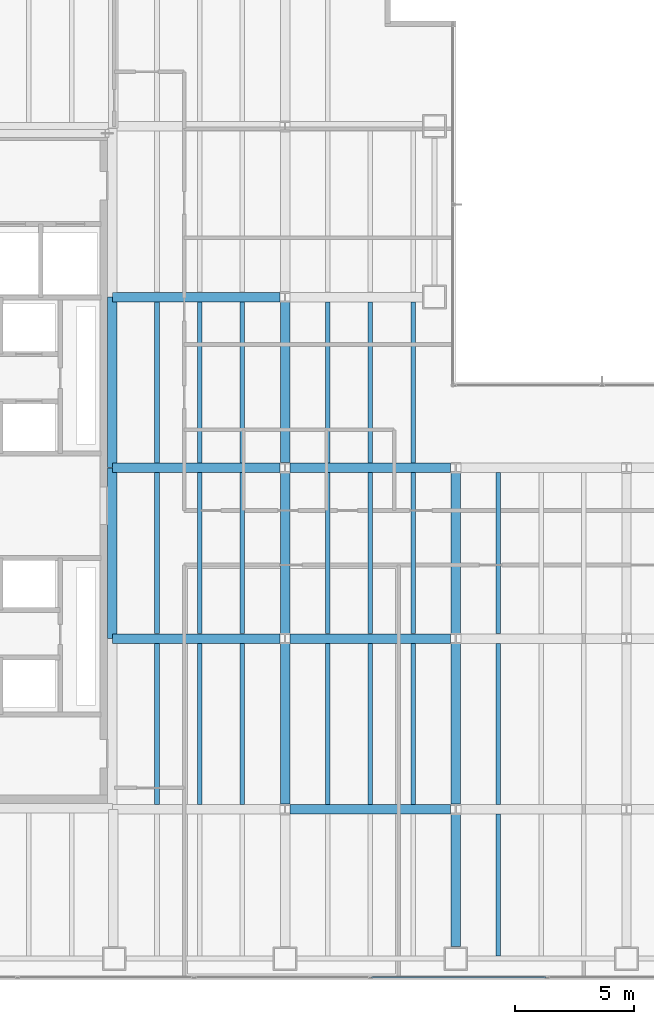
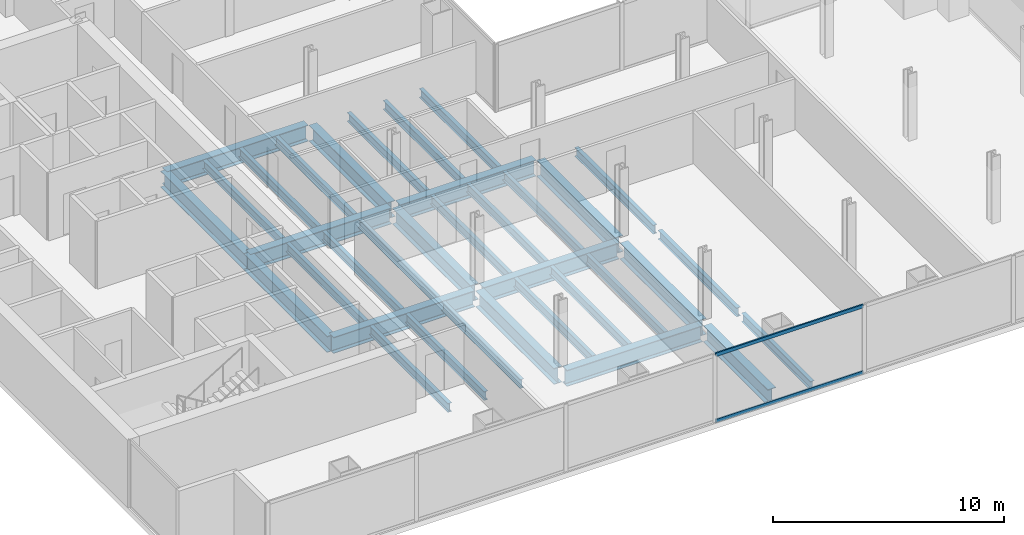
# One storey, part 5 of 24: 35 beams, 2 members, 1 element without a shape of its own.
"""IFC4 building model written with IfcOpenShell, lengths in metres."""

from ifc_helpers import new_model, si_unit, direction, frame, origin, origin_2d, place, context, subcontext, project, spatial, hollow_rectangle, i_section, extrude, material, material_profile, profile_set, type_object, element, aggregate, save


model = new_model("IFC4")

# Units and contexts
model_context = context("Model", 3, precision=1e-05, world=origin(), true_north=direction((0.0, 1.0)))
body_context = subcontext(model_context, "Body", "Model", "MODEL_VIEW")
ifc_project = project(units=[si_unit("LENGTHUNIT", "METRE"), si_unit("AREAUNIT", "SQUARE_METRE"), si_unit("VOLUMEUNIT", "CUBIC_METRE"), si_unit("PLANEANGLEUNIT", "RADIAN"), si_unit("MASSUNIT", "GRAM", prefix="KILO")], contexts=[model_context])

# Site, building, storey
site_placement = place(None, origin())
site = spatial("IfcSite", under=ifc_project, at=site_placement, CompositionType="ELEMENT")
building_placement = place(site_placement, origin())
building = spatial("IfcBuilding", under=site, at=building_placement, Name="Cobrela Telecom Tower", CompositionType="ELEMENT")
storey_placement = place(building_placement, frame((0.0, 0.0, 69.64990234375)))
storey = spatial("IfcBuildingStorey", under=building, at=storey_placement, Name="L17", CompositionType="ELEMENT", Elevation=69.64990234375)

# Beams
ifc_material_1 = material(Name="Steel ASTM A992 Grade 50", Category="steel")
ifc_material_profile_1 = material_profile(ifc_material_1, i_section(OverallWidth=0.39892578125, OverallDepth=0.85595703125, WebThickness=0.018310546875, FlangeThickness=0.029296875, FilletRadius=0.02001953125, at=origin_2d()), Name="W33X201")
ifc_profile_set_1 = profile_set([ifc_material_profile_1], Name="Steel ASTM A992 Grade 50")
beam_type_1 = type_object("IfcBeamType", Name="BM-GIRD-03", PredefinedType="USERDEFINED", material=ifc_profile_set_1)
beam_1_placement = place(storey_placement, frame((21.81591796875, 7.199951171875, -0.7080078125), z_axis=(1.0, 0.0, 0.0), x_axis=(0.0, 1.0, 0.0)))
element("IfcBeam", 1, at=beam_1_placement, inside=storey, type_object=beam_type_1, Name="L17 Primary Girder X09", ObjectType="GIRDER", PredefinedType="USERDEFINED", context=body_context, shape_type="SweptSolid", body=[
    extrude(i_section(OverallWidth=0.39892578125, OverallDepth=0.85595703125, WebThickness=0.018310546875, FlangeThickness=0.029296875, FilletRadius=0.02001953125, at=origin_2d()), origin(), (0.0, 0.0, 1.0), 6.76806640625),
])
beam_2_placement = place(storey_placement, frame((14.324951171875, 14.39990234375, -0.7080078125), z_axis=(1.0, 0.0, 0.0), x_axis=(0.0, 1.0, 0.0)))
element("IfcBeam", 2, at=beam_2_placement, inside=storey, type_object=beam_type_1, Name="L17 Primary Girder X13", ObjectType="GIRDER", PredefinedType="USERDEFINED", context=body_context, shape_type="SweptSolid", body=[
    extrude(i_section(OverallWidth=0.39892578125, OverallDepth=0.85595703125, WebThickness=0.018310546875, FlangeThickness=0.029296875, FilletRadius=0.02001953125, at=origin_2d()), origin(), (0.0, 0.0, 1.0), 7.05908203125),
])
beam_3_placement = place(storey_placement, frame((21.81591796875, 14.39990234375, -0.7080078125), z_axis=(1.0, 0.0, 0.0), x_axis=(0.0, 1.0, 0.0)))
element("IfcBeam", 3, at=beam_3_placement, inside=storey, type_object=beam_type_1, Name="L17 Primary Girder X14", ObjectType="GIRDER", PredefinedType="USERDEFINED", context=body_context, shape_type="SweptSolid", body=[
    extrude(i_section(OverallWidth=0.39892578125, OverallDepth=0.85595703125, WebThickness=0.018310546875, FlangeThickness=0.029296875, FilletRadius=0.02001953125, at=origin_2d()), origin(), (0.0, 0.0, 1.0), 6.76806640625),
])
beam_4_placement = place(storey_placement, frame((14.324951171875, 21.60009765625, -0.7080078125), z_axis=(1.0, 0.0, 0.0), x_axis=(0.0, 1.0, 0.0)))
element("IfcBeam", 4, at=beam_4_placement, inside=storey, type_object=beam_type_1, Name="L17 Primary Girder X18", ObjectType="GIRDER", PredefinedType="USERDEFINED", context=body_context, shape_type="SweptSolid", body=[
    extrude(i_section(OverallWidth=0.39892578125, OverallDepth=0.85595703125, WebThickness=0.018310546875, FlangeThickness=0.029296875, FilletRadius=0.02001953125, at=origin_2d()), origin(), (0.0, 0.0, 1.0), 7.05908203125),
])
beam_5_placement = place(storey_placement, frame((21.81591796875, 21.60009765625, -0.7080078125), z_axis=(1.0, 0.0, 0.0), x_axis=(0.0, 1.0, 0.0)))
element("IfcBeam", 5, at=beam_5_placement, inside=storey, type_object=beam_type_1, Name="L17 Primary Girder X19", ObjectType="GIRDER", PredefinedType="USERDEFINED", context=body_context, shape_type="SweptSolid", body=[
    extrude(i_section(OverallWidth=0.39892578125, OverallDepth=0.85595703125, WebThickness=0.018310546875, FlangeThickness=0.029296875, FilletRadius=0.02001953125, at=origin_2d()), origin(), (0.0, 0.0, 1.0), 6.76806640625),
])
beam_6_placement = place(storey_placement, frame((14.324951171875, 28.800048828125, -0.7080078125), z_axis=(1.0, 0.0, 0.0), x_axis=(0.0, 1.0, 0.0)))
element("IfcBeam", 6, at=beam_6_placement, inside=storey, type_object=beam_type_1, Name="L17 Primary Girder X23", ObjectType="GIRDER", PredefinedType="USERDEFINED", context=body_context, shape_type="SweptSolid", body=[
    extrude(i_section(OverallWidth=0.39892578125, OverallDepth=0.85595703125, WebThickness=0.018310546875, FlangeThickness=0.029296875, FilletRadius=0.02001953125, at=origin_2d()), origin(), (0.0, 0.0, 1.0), 7.05908203125),
])
for number, where, z_axis, x_axis, name in (
    (7, (14.320068359375, 14.405029296875, -0.7080078125), (0.0, 1.0, 0.0), (-1.0, 0.0, 0.0), "L17 Primary Girder Y36"),
    (8, (14.320068359375, 21.60498046875, -0.7080078125), (0.0, 1.0, 0.0), (-1.0, 0.0, 0.0), "L17 Primary Girder Y37"),
):
    element("IfcBeam", number, at=place(storey_placement, frame(where, z_axis=z_axis, x_axis=x_axis)), inside=storey, type_object=beam_type_1, Name=name, ObjectType="GIRDER", PredefinedType="USERDEFINED", context=body_context, shape_type="SweptSolid", body=[
        extrude(i_section(OverallWidth=0.39892578125, OverallDepth=0.85595703125, WebThickness=0.018310546875, FlangeThickness=0.029296875, FilletRadius=0.02001953125, at=origin_2d()), origin(), (0.0, 0.0, 1.0), 7.18994140625),
    ])
for number, where, z_axis, x_axis, name in (
    (9, (21.60009765625, 7.416015625, -0.7080078125), (0.0, 1.0, 0.0), (-1.0, 0.0, 0.0), "L17 Primary Girder Y41"),
    (10, (21.60009765625, 14.615966796875, -0.7080078125), (0.0, 1.0, 0.0), (-1.0, 0.0, 0.0), "L17 Primary Girder Y42"),
    (11, (21.60009765625, 21.81591796875, -0.7080078125), (0.0, 1.0, 0.0), (-1.0, 0.0, 0.0), "L17 Primary Girder Y43"),
):
    element("IfcBeam", number, at=place(storey_placement, frame(where, z_axis=z_axis, x_axis=x_axis)), inside=storey, type_object=beam_type_1, Name=name, ObjectType="GIRDER", PredefinedType="USERDEFINED", context=body_context, shape_type="SweptSolid", body=[
        extrude(i_section(OverallWidth=0.39892578125, OverallDepth=0.85595703125, WebThickness=0.018310546875, FlangeThickness=0.029296875, FilletRadius=0.02001953125, at=origin_2d()), origin(), (0.0, 0.0, 1.0), 6.76806640625),
    ])
beam_7_placement = place(storey_placement, frame((28.800048828125, 1.405029296875, -0.7080078125), z_axis=(0.0, 1.0, 0.0), x_axis=(-1.0, 0.0, 0.0)))
element("IfcBeam", 12, at=beam_7_placement, inside=storey, type_object=beam_type_1, Name="L17 Primary Girder Y47", ObjectType="GIRDER", PredefinedType="USERDEFINED", context=body_context, shape_type="SweptSolid", body=[
    extrude(i_section(OverallWidth=0.39892578125, OverallDepth=0.85595703125, WebThickness=0.018310546875, FlangeThickness=0.029296875, FilletRadius=0.02001953125, at=origin_2d()), origin(), (0.0, 0.0, 1.0), 5.578857421875),
])
for number, where, z_axis, x_axis, name in (
    (13, (28.800048828125, 7.416015625, -0.7080078125), (0.0, 1.0, 0.0), (-1.0, 0.0, 0.0), "L17 Primary Girder Y48"),
    (14, (28.800048828125, 14.615966796875, -0.7080078125), (0.0, 1.0, 0.0), (-1.0, 0.0, 0.0), "L17 Primary Girder Y49"),
):
    element("IfcBeam", number, at=place(storey_placement, frame(where, z_axis=z_axis, x_axis=x_axis)), inside=storey, type_object=beam_type_1, Name=name, ObjectType="GIRDER", PredefinedType="USERDEFINED", context=body_context, shape_type="SweptSolid", body=[
        extrude(i_section(OverallWidth=0.39892578125, OverallDepth=0.85595703125, WebThickness=0.018310546875, FlangeThickness=0.029296875, FilletRadius=0.02001953125, at=origin_2d()), origin(), (0.0, 0.0, 1.0), 6.76806640625),
    ])
ifc_material_profile_2 = material_profile(ifc_material_1, i_section(OverallWidth=0.193115234375, OverallDepth=0.467041015625, WebThickness=0.011474609375, FlangeThickness=0.01904296875, FilletRadius=0.012939453125, at=origin_2d()), Name="W18X65")
ifc_profile_set_2 = profile_set([ifc_material_profile_2], Name="Steel ASTM A992 Grade 50")
beam_type_2 = type_object("IfcBeamType", Name="BM-JOIST-03", PredefinedType="JOIST", material=ifc_profile_set_2)
for number, where, z_axis, x_axis, name in (
    (15, (16.199951171875, 7.404541015625, -0.513427734375), (0.0, 1.0, 0.0), (-1.0, 0.0, 0.0), "L17 Secondary Composite Floor Beam J08"),
    (16, (16.199951171875, 14.6044921875, -0.513427734375), (0.0, 1.0, 0.0), (-1.0, 0.0, 0.0), "L17 Secondary Composite Floor Beam J09"),
    (17, (16.199951171875, 21.804443359375, -0.513427734375), (0.0, 1.0, 0.0), (-1.0, 0.0, 0.0), "L17 Secondary Composite Floor Beam J10"),
    (18, (18.0, 7.404541015625, -0.513427734375), (0.0, 1.0, 0.0), (-1.0, 0.0, 0.0), "L17 Secondary Composite Floor Beam J14"),
    (19, (18.0, 14.6044921875, -0.513427734375), (0.0, 1.0, 0.0), (-1.0, 0.0, 0.0), "L17 Secondary Composite Floor Beam J15"),
    (20, (18.0, 21.804443359375, -0.513427734375), (0.0, 1.0, 0.0), (-1.0, 0.0, 0.0), "L17 Secondary Composite Floor Beam J16"),
    (21, (19.800048828125, 7.404541015625, -0.513427734375), (0.0, 1.0, 0.0), (-1.0, 0.0, 0.0), "L17 Secondary Composite Floor Beam J20"),
    (22, (19.800048828125, 14.6044921875, -0.513427734375), (0.0, 1.0, 0.0), (-1.0, 0.0, 0.0), "L17 Secondary Composite Floor Beam J21"),
    (23, (19.800048828125, 21.804443359375, -0.513427734375), (0.0, 1.0, 0.0), (-1.0, 0.0, 0.0), "L17 Secondary Composite Floor Beam J22"),
    (24, (23.39990234375, 7.404541015625, -0.513427734375), (0.0, 1.0, 0.0), (-1.0, 0.0, 0.0), "L17 Secondary Composite Floor Beam J26"),
    (25, (23.39990234375, 14.6044921875, -0.513427734375), (0.0, 1.0, 0.0), (-1.0, 0.0, 0.0), "L17 Secondary Composite Floor Beam J27"),
    (26, (23.39990234375, 21.804443359375, -0.513427734375), (0.0, 1.0, 0.0), (-1.0, 0.0, 0.0), "L17 Secondary Composite Floor Beam J28"),
    (27, (25.199951171875, 7.404541015625, -0.513427734375), (0.0, 1.0, 0.0), (-1.0, 0.0, 0.0), "L17 Secondary Composite Floor Beam J32"),
    (28, (25.199951171875, 14.6044921875, -0.513427734375), (0.0, 1.0, 0.0), (-1.0, 0.0, 0.0), "L17 Secondary Composite Floor Beam J33"),
    (29, (25.199951171875, 21.804443359375, -0.513427734375), (0.0, 1.0, 0.0), (-1.0, 0.0, 0.0), "L17 Secondary Composite Floor Beam J34"),
    (30, (27.0, 7.404541015625, -0.513427734375), (0.0, 1.0, 0.0), (-1.0, 0.0, 0.0), "L17 Secondary Composite Floor Beam J37"),
    (31, (27.0, 14.6044921875, -0.513427734375), (0.0, 1.0, 0.0), (-1.0, 0.0, 0.0), "L17 Secondary Composite Floor Beam J38"),
    (32, (27.0, 21.804443359375, -0.513427734375), (0.0, 1.0, 0.0), (-1.0, 0.0, 0.0), "L17 Secondary Composite Floor Beam J39"),
):
    element("IfcBeam", number, at=place(storey_placement, frame(where, z_axis=z_axis, x_axis=x_axis)), inside=storey, type_object=beam_type_2, Name=name, PredefinedType="JOIST", context=body_context, shape_type="SweptSolid", body=[
        extrude(i_section(OverallWidth=0.193115234375, OverallDepth=0.467041015625, WebThickness=0.011474609375, FlangeThickness=0.01904296875, FilletRadius=0.012939453125, at=origin_2d()), origin(), (0.0, 0.0, 1.0), 6.791015625),
    ])
beam_8_placement = place(storey_placement, frame((30.60009765625, 1.011474609375, -0.513427734375), z_axis=(0.0, 1.0, 0.0), x_axis=(-1.0, 0.0, 0.0)))
element("IfcBeam", 33, at=beam_8_placement, inside=storey, type_object=beam_type_2, Name="L17 Secondary Composite Floor Beam J41", PredefinedType="JOIST", context=body_context, shape_type="SweptSolid", body=[
    extrude(i_section(OverallWidth=0.193115234375, OverallDepth=0.467041015625, WebThickness=0.011474609375, FlangeThickness=0.01904296875, FilletRadius=0.012939453125, at=origin_2d()), origin(), (0.0, 0.0, 1.0), 5.984130859375),
])
for number, where, z_axis, x_axis, name in (
    (34, (30.60009765625, 7.404541015625, -0.513427734375), (0.0, 1.0, 0.0), (-1.0, 0.0, 0.0), "L17 Secondary Composite Floor Beam J42"),
    (35, (30.60009765625, 14.6044921875, -0.513427734375), (0.0, 1.0, 0.0), (-1.0, 0.0, 0.0), "L17 Secondary Composite Floor Beam J43"),
):
    element("IfcBeam", number, at=place(storey_placement, frame(where, z_axis=z_axis, x_axis=x_axis)), inside=storey, type_object=beam_type_2, Name=name, PredefinedType="JOIST", context=body_context, shape_type="SweptSolid", body=[
        extrude(i_section(OverallWidth=0.193115234375, OverallDepth=0.467041015625, WebThickness=0.011474609375, FlangeThickness=0.01904296875, FilletRadius=0.012939453125, at=origin_2d()), origin(), (0.0, 0.0, 1.0), 6.791015625),
    ])

# Curtain wall, members
ifc_material_2 = material(Name="Anodized Bronze Aluminium 6063-T6", Category="aluminium")
curtain_wall_type = type_object("IfcCurtainWallType", Name="CW-SYS-DATA", PredefinedType="USERDEFINED", material=ifc_material_2)
curtain_wall_placement = place(storey_placement, origin())
curtain_wall = element("IfcCurtainWall", 36, at=curtain_wall_placement, inside=storey, type_object=curtain_wall_type, Name="L17 Unitised Bronze Curtain Wall 17", ObjectType="UNITISED CURTAIN WALL", PredefinedType="USERDEFINED")
ifc_material_profile_3 = material_profile(ifc_material_2, hollow_rectangle(XDim=0.074951171875, YDim=0.179931640625, WallThickness=0.00390625, at=origin_2d()), Name="ALU 75x180x4")
ifc_profile_set_3 = profile_set([ifc_material_profile_3], Name="Anodized Bronze Aluminium 6063-T6")
member_type = type_object("IfcMemberType", Name="CW-SYS-DATA-TRN", PredefinedType="USERDEFINED", material=ifc_profile_set_3)
member_1_placement = place(storey_placement, frame((32.603271484375, 0.1201171875, 0.03759765625), z_axis=(-1.0, 0.0, 0.0), x_axis=(0.0, -1.0, 0.0)))
member_1 = element("IfcMember", 37, at=member_1_placement, type_object=member_type, Name="CW-DATA transom 3.1", ObjectType="TRANSOM", PredefinedType="USERDEFINED", context=body_context, shape_type="SweptSolid", body=[
    extrude(hollow_rectangle(XDim=0.074951171875, YDim=0.179931640625, WallThickness=0.00390625, at=origin_2d()), origin(), (0.0, 0.0, 1.0), 7.36328125),
])
member_2_placement = place(storey_placement, frame((32.603271484375, 0.1201171875, 3.53271484375), z_axis=(-1.0, 0.0, 0.0), x_axis=(0.0, -1.0, 0.0)))
member_2 = element("IfcMember", 38, at=member_2_placement, type_object=member_type, Name="CW-DATA transom 3.2", ObjectType="TRANSOM", PredefinedType="USERDEFINED", context=body_context, shape_type="SweptSolid", body=[
    extrude(hollow_rectangle(XDim=0.074951171875, YDim=0.179931640625, WallThickness=0.00390625, at=origin_2d()), origin(), (0.0, 0.0, 1.0), 7.36328125),
])
aggregate(curtain_wall, [member_1, member_2])

save(model, "model.ifc")
